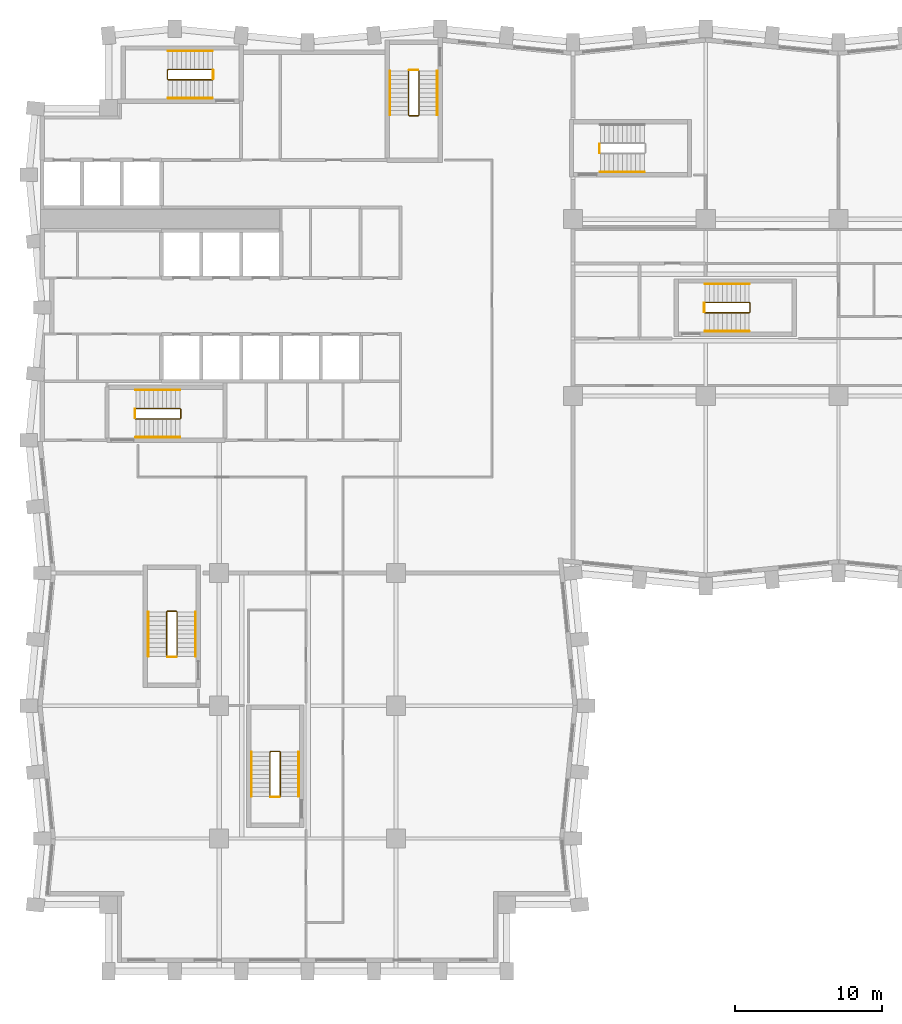
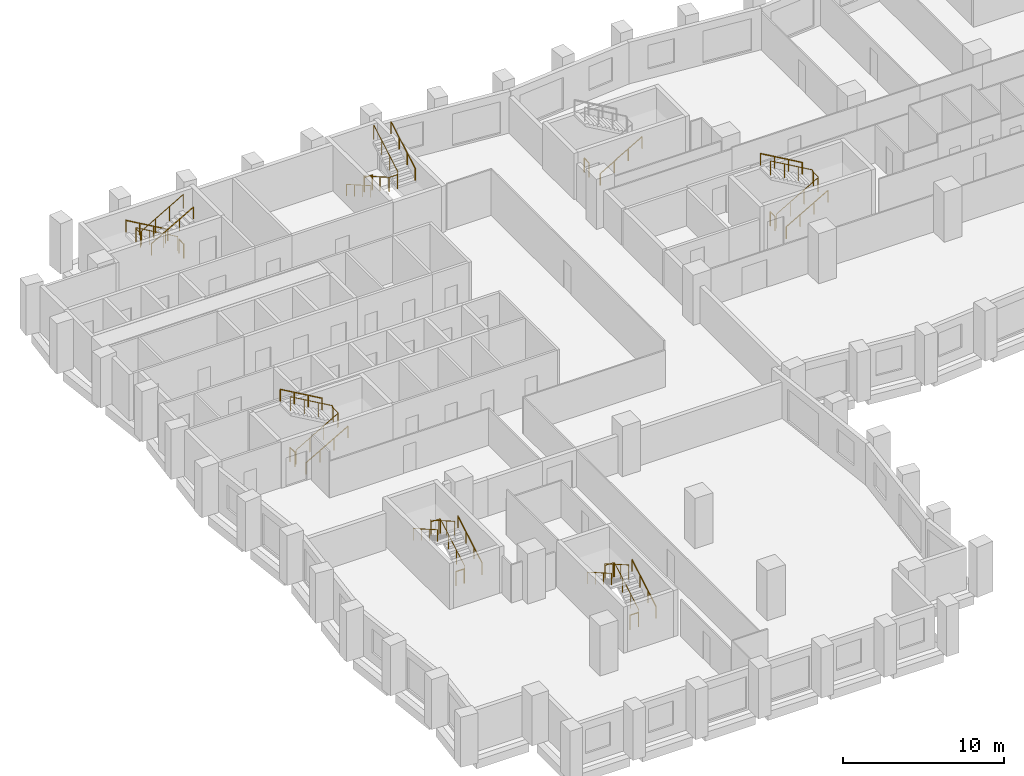
# One storey, part 10 of 11: 26 railings.
"""IFC4 building model written with IfcOpenShell, lengths in metres."""

from ifc_helpers import new_model, si_unit, direction, frame, origin, origin_2d, place, context, subcontext, project, spatial, circle, extrude, material, type_object, element, save


model = new_model("IFC4")

# Units and contexts
model_context = context("Model", 3, precision=1e-05, world=origin(), true_north=direction((0.0, 1.0)))
body_context = subcontext(model_context, "Body", "Model", "MODEL_VIEW")
ifc_project = project(units=[si_unit("LENGTHUNIT", "METRE"), si_unit("AREAUNIT", "SQUARE_METRE"), si_unit("VOLUMEUNIT", "CUBIC_METRE"), si_unit("PLANEANGLEUNIT", "RADIAN"), si_unit("MASSUNIT", "GRAM", prefix="KILO")], contexts=[model_context])

# Site, building, storey
site_placement = place(None, origin())
site = spatial("IfcSite", under=ifc_project, at=site_placement, CompositionType="ELEMENT")
building_placement = place(site_placement, origin())
building = spatial("IfcBuilding", under=site, at=building_placement, Name="Brondeck Convention Tower", CompositionType="ELEMENT")
storey_placement = place(building_placement, frame((0.0, 0.0, 111.300048828125)))
storey = spatial("IfcBuildingStorey", under=building, at=storey_placement, Name="L26", CompositionType="ELEMENT", Elevation=111.300048828125)

# Railings
ifc_material = material(Name="Steel S355", Category="steel")
railing_type_1 = type_object("IfcRailingType", Name="Stair guard 1100", PredefinedType="GUARDRAIL", material=ifc_material)
railing_1_placement = place(storey_placement, frame((6.35009765625, 37.449951171875, 0.172607421875)))
element("IfcRailing", 1, at=railing_1_placement, inside=storey, type_object=railing_type_1, Name="L26 ST-1 stair guard 1", PredefinedType="GUARDRAIL", context=body_context, shape_type="SweptSolid", body=[
    extrude(circle(Radius=0.02392578125, at=origin_2d()), frame((0.0, 0.0, 1.076171875), z_axis=(0.866619684472, 0.0, 0.498969260062), x_axis=(0.0, 1.0, 0.0)), (0.0, 0.0, 1.0), 3.461669921875),
    extrude(circle(Radius=0.02392578125, at=origin_2d()), frame((3.0, 0.0, 2.80322265625), z_axis=(0.705375805398, 0.708833529934, 0.0), x_axis=(-0.708833529934, 0.705375805398, 0.0)), (0.0, 0.0, 1.0), 0.070556640625),
    extrude(circle(Radius=0.02392578125, at=origin_2d()), frame((3.0498046875, 0.050048828125, 2.80322265625), z_axis=(0.0, 1.0, 0.0), x_axis=(-1.0, 0.0, 0.0)), (0.0, 0.0, 1.0), 0.60009765625),
    extrude(circle(Radius=0.02392578125, at=origin_2d()), frame((3.0498046875, 0.650146484375, 2.80322265625), z_axis=(-0.266832911964, 0.266832911964, 0.926067165051), x_axis=(-0.707106781187, -0.707106781187, 0.0)), (0.0, 0.0, 1.0), 0.186767578125),
    extrude(circle(Radius=0.02392578125, at=origin_2d()), frame((3.0, 0.699951171875, 2.97607421875), z_axis=(-0.866619684472, 0.0, 0.498969260062), x_axis=(0.0, -1.0, 0.0)), (0.0, 0.0, 1.0), 3.461669921875),
    extrude(circle(Radius=0.02099609375, at=origin_2d()), origin(), (0.0, 0.0, 1.0), 1.052001953125),
    extrude(circle(Radius=0.02099609375, at=origin_2d()), frame((1.0, 0.0, 0.57568359375)), (0.0, 0.0, 1.0), 1.052001953125),
    extrude(circle(Radius=0.02099609375, at=origin_2d()), frame((2.0, 0.0, 1.151611328125)), (0.0, 0.0, 1.0), 1.052001953125),
    extrude(circle(Radius=0.02099609375, at=origin_2d()), frame((3.0, 0.0, 1.727294921875)), (0.0, 0.0, 1.0), 1.052001953125),
    extrude(circle(Radius=0.02099609375, at=origin_2d()), frame((3.0498046875, 0.050048828125, 1.727294921875)), (0.0, 0.0, 1.0), 1.052001953125),
    extrude(circle(Radius=0.02099609375, at=origin_2d()), frame((3.0498046875, 0.650146484375, 1.727294921875)), (0.0, 0.0, 1.0), 1.052001953125),
    extrude(circle(Radius=0.02099609375, at=origin_2d()), frame((3.0, 0.699951171875, 1.900146484375)), (0.0, 0.0, 1.0), 1.052001953125),
    extrude(circle(Radius=0.02099609375, at=origin_2d()), frame((2.0, 0.699951171875, 2.475830078125)), (0.0, 0.0, 1.0), 1.052001953125),
    extrude(circle(Radius=0.02099609375, at=origin_2d()), frame((1.0, 0.699951171875, 3.0517578125)), (0.0, 0.0, 1.0), 1.052001953125),
    extrude(circle(Radius=0.02099609375, at=origin_2d()), frame((0.0, 0.699951171875, 3.62744140625)), (0.0, 0.0, 1.0), 1.052001953125),
])
railing_2_placement = place(storey_placement, frame((6.300048828125, 37.5, 0.0)))
element("IfcRailing", 2, at=railing_2_placement, inside=storey, type_object=railing_type_1, Name="L26 ST-1 stair guard 2", PredefinedType="GUARDRAIL", context=body_context, shape_type="SweptSolid", body=[
    extrude(circle(Radius=0.02392578125, at=origin_2d()), frame((0.0, 0.0, 1.076171875), z_axis=(0.0, 1.0, 0.0), x_axis=(-1.0, 0.0, 0.0)), (0.0, 0.0, 1.0), 0.60009765625),
    extrude(circle(Radius=0.02099609375, at=origin_2d()), origin(), (0.0, 0.0, 1.0), 1.052001953125),
    extrude(circle(Radius=0.02099609375, at=origin_2d()), frame((0.0, 0.60009765625, 0.0)), (0.0, 0.0, 1.0), 1.052001953125),
])
railing_3_placement = place(storey_placement, frame((24.85009765625, 61.050048828125, 0.172607421875)))
element("IfcRailing", 3, at=railing_3_placement, inside=storey, type_object=railing_type_1, Name="L26 ST-2 stair guard 1", PredefinedType="GUARDRAIL", context=body_context, shape_type="SweptSolid", body=[
    extrude(circle(Radius=0.02392578125, at=origin_2d()), frame((0.0, 0.0, 1.076171875), z_axis=(0.0, -0.866619684472, 0.498969260062), x_axis=(1.0, 0.0, 0.0)), (0.0, 0.0, 1.0), 3.461669921875),
    extrude(circle(Radius=0.02392578125, at=origin_2d()), frame((0.0, -3.0, 2.80322265625), z_axis=(0.705375805398, -0.708833529934, 0.0), x_axis=(0.708833529934, 0.705375805398, 0.0)), (0.0, 0.0, 1.0), 0.070556640625),
    extrude(circle(Radius=0.02392578125, at=origin_2d()), frame((0.0498046875, -3.050048828125, 2.80322265625), z_axis=(1.0, 0.0, 0.0), x_axis=(0.0, 1.0, 0.0)), (0.0, 0.0, 1.0), 0.60009765625),
    extrude(circle(Radius=0.02392578125, at=origin_2d()), frame((0.64990234375, -3.050048828125, 2.80322265625), z_axis=(0.267953482034, 0.267953482034, 0.925419830635), x_axis=(-0.707106781187, 0.707106781187, 0.0)), (0.0, 0.0, 1.0), 0.186767578125),
    extrude(circle(Radius=0.02392578125, at=origin_2d()), frame((0.699951171875, -3.0, 2.97607421875), z_axis=(0.0, 0.866619684472, 0.498969260062), x_axis=(-1.0, 0.0, 0.0)), (0.0, 0.0, 1.0), 3.461669921875),
    extrude(circle(Radius=0.02099609375, at=origin_2d()), origin(), (0.0, 0.0, 1.0), 1.052001953125),
    extrude(circle(Radius=0.02099609375, at=origin_2d()), frame((0.0, -1.0, 0.57568359375)), (0.0, 0.0, 1.0), 1.052001953125),
    extrude(circle(Radius=0.02099609375, at=origin_2d()), frame((0.0, -2.0, 1.151611328125)), (0.0, 0.0, 1.0), 1.052001953125),
    extrude(circle(Radius=0.02099609375, at=origin_2d()), frame((0.0, -3.0, 1.727294921875)), (0.0, 0.0, 1.0), 1.052001953125),
    extrude(circle(Radius=0.02099609375, at=origin_2d()), frame((0.0498046875, -3.050048828125, 1.727294921875)), (0.0, 0.0, 1.0), 1.052001953125),
    extrude(circle(Radius=0.02099609375, at=origin_2d()), frame((0.64990234375, -3.050048828125, 1.727294921875)), (0.0, 0.0, 1.0), 1.052001953125),
    extrude(circle(Radius=0.02099609375, at=origin_2d()), frame((0.699951171875, -3.0, 1.900146484375)), (0.0, 0.0, 1.0), 1.052001953125),
    extrude(circle(Radius=0.02099609375, at=origin_2d()), frame((0.699951171875, -2.0, 2.475830078125)), (0.0, 0.0, 1.0), 1.052001953125),
    extrude(circle(Radius=0.02099609375, at=origin_2d()), frame((0.699951171875, -1.0, 3.0517578125)), (0.0, 0.0, 1.0), 1.052001953125),
    extrude(circle(Radius=0.02099609375, at=origin_2d()), frame((0.699951171875, 0.0, 3.62744140625)), (0.0, 0.0, 1.0), 1.052001953125),
])
railing_4_placement = place(storey_placement, frame((24.89990234375, 61.10009765625, 0.0)))
element("IfcRailing", 4, at=railing_4_placement, inside=storey, type_object=railing_type_1, Name="L26 ST-2 stair guard 2", PredefinedType="GUARDRAIL", context=body_context, shape_type="SweptSolid", body=[
    extrude(circle(Radius=0.02392578125, at=origin_2d()), frame((0.0, 0.0, 1.076171875), z_axis=(1.0, 0.0, 0.0), x_axis=(0.0, 1.0, 0.0)), (0.0, 0.0, 1.0), 0.60009765625),
    extrude(circle(Radius=0.02099609375, at=origin_2d()), origin(), (0.0, 0.0, 1.0), 1.052001953125),
    extrude(circle(Radius=0.02099609375, at=origin_2d()), frame((0.60009765625, 0.0, 0.0)), (0.0, 0.0, 1.0), 1.052001953125),
])
railing_5_placement = place(storey_placement, frame((11.550048828125, 61.14990234375, 0.172607421875)))
element("IfcRailing", 5, at=railing_5_placement, inside=storey, type_object=railing_type_1, Name="L26 ST-3 stair guard 1", PredefinedType="GUARDRAIL", context=body_context, shape_type="SweptSolid", body=[
    extrude(circle(Radius=0.02392578125, at=origin_2d()), frame((0.0, 0.0, 1.076171875), z_axis=(-0.866619684472, 0.0, 0.498969260062), x_axis=(0.0, -1.0, 0.0)), (0.0, 0.0, 1.0), 3.461669921875),
    extrude(circle(Radius=0.02392578125, at=origin_2d()), frame((-3.0, 0.0, 2.80322265625), z_axis=(-0.708833529934, -0.705375805398, 0.0), x_axis=(0.705375805398, -0.708833529934, 0.0)), (0.0, 0.0, 1.0), 0.070556640625),
    extrude(circle(Radius=0.02392578125, at=origin_2d()), frame((-3.050048828125, -0.0498046875, 2.80322265625), z_axis=(0.0, -1.0, 0.0), x_axis=(1.0, 0.0, 0.0)), (0.0, 0.0, 1.0), 0.60009765625),
    extrude(circle(Radius=0.02392578125, at=origin_2d()), frame((-3.050048828125, -0.64990234375, 2.80322265625), z_axis=(0.267953482034, -0.267953482034, 0.925419830635), x_axis=(0.707106781187, 0.707106781187, 0.0)), (0.0, 0.0, 1.0), 0.186767578125),
    extrude(circle(Radius=0.02392578125, at=origin_2d()), frame((-3.0, -0.699951171875, 2.97607421875), z_axis=(0.866619684472, 0.0, 0.498969260062), x_axis=(0.0, 1.0, 0.0)), (0.0, 0.0, 1.0), 3.461669921875),
    extrude(circle(Radius=0.02099609375, at=origin_2d()), origin(), (0.0, 0.0, 1.0), 1.052001953125),
    extrude(circle(Radius=0.02099609375, at=origin_2d()), frame((-1.0, 0.0, 0.57568359375)), (0.0, 0.0, 1.0), 1.052001953125),
    extrude(circle(Radius=0.02099609375, at=origin_2d()), frame((-2.0, 0.0, 1.151611328125)), (0.0, 0.0, 1.0), 1.052001953125),
    extrude(circle(Radius=0.02099609375, at=origin_2d()), frame((-3.0, 0.0, 1.727294921875)), (0.0, 0.0, 1.0), 1.052001953125),
    extrude(circle(Radius=0.02099609375, at=origin_2d()), frame((-3.050048828125, -0.0498046875, 1.727294921875)), (0.0, 0.0, 1.0), 1.052001953125),
    extrude(circle(Radius=0.02099609375, at=origin_2d()), frame((-3.050048828125, -0.64990234375, 1.727294921875)), (0.0, 0.0, 1.0), 1.052001953125),
    extrude(circle(Radius=0.02099609375, at=origin_2d()), frame((-3.0, -0.699951171875, 1.900146484375)), (0.0, 0.0, 1.0), 1.052001953125),
    extrude(circle(Radius=0.02099609375, at=origin_2d()), frame((-2.0, -0.699951171875, 2.475830078125)), (0.0, 0.0, 1.0), 1.052001953125),
    extrude(circle(Radius=0.02099609375, at=origin_2d()), frame((-1.0, -0.699951171875, 3.0517578125)), (0.0, 0.0, 1.0), 1.052001953125),
    extrude(circle(Radius=0.02099609375, at=origin_2d()), frame((0.0, -0.699951171875, 3.62744140625)), (0.0, 0.0, 1.0), 1.052001953125),
])
railing_6_placement = place(storey_placement, frame((11.60009765625, 61.10009765625, 0.0)))
element("IfcRailing", 6, at=railing_6_placement, inside=storey, type_object=railing_type_1, Name="L26 ST-3 stair guard 2", PredefinedType="GUARDRAIL", context=body_context, shape_type="SweptSolid", body=[
    extrude(circle(Radius=0.02392578125, at=origin_2d()), frame((0.0, 0.0, 1.076171875), z_axis=(0.0, -1.0, 0.0), x_axis=(1.0, 0.0, 0.0)), (0.0, 0.0, 1.0), 0.60009765625),
    extrude(circle(Radius=0.02099609375, at=origin_2d()), origin(), (0.0, 0.0, 1.0), 1.052001953125),
    extrude(circle(Radius=0.02099609375, at=origin_2d()), frame((0.0, -0.60009765625, 0.0)), (0.0, 0.0, 1.0), 1.052001953125),
])
railing_7_placement = place(storey_placement, frame((37.800048828125, 55.5, 0.0)))
element("IfcRailing", 7, at=railing_7_placement, inside=storey, type_object=railing_type_1, Name="L26 ST-AE stair guard 2", PredefinedType="GUARDRAIL", context=body_context, shape_type="SweptSolid", body=[
    extrude(circle(Radius=0.02392578125, at=origin_2d()), frame((0.0, 0.0, 1.076171875), z_axis=(0.0, 1.0, 0.0), x_axis=(-1.0, 0.0, 0.0)), (0.0, 0.0, 1.0), 0.60009765625),
    extrude(circle(Radius=0.02099609375, at=origin_2d()), origin(), (0.0, 0.0, 1.0), 1.052001953125),
    extrude(circle(Radius=0.02099609375, at=origin_2d()), frame((0.0, 0.60009765625, 0.0)), (0.0, 0.0, 1.0), 1.052001953125),
])
railing_8_placement = place(storey_placement, frame((9.14990234375, 21.35009765625, 0.172607421875)))
element("IfcRailing", 8, at=railing_8_placement, inside=storey, type_object=railing_type_1, Name="L26 ST-BE stair guard 1", PredefinedType="GUARDRAIL", context=body_context, shape_type="SweptSolid", body=[
    extrude(circle(Radius=0.02392578125, at=origin_2d()), frame((0.0, 0.0, 1.076171875), z_axis=(0.0, 0.866619684472, 0.498969260062), x_axis=(-1.0, 0.0, 0.0)), (0.0, 0.0, 1.0), 3.461669921875),
    extrude(circle(Radius=0.02392578125, at=origin_2d()), frame((0.0, 3.0, 2.80322265625), z_axis=(-0.707106781187, 0.707106781187, 0.0), x_axis=(-0.707106781187, -0.707106781187, 0.0)), (0.0, 0.0, 1.0), 0.0703125),
    extrude(circle(Radius=0.02392578125, at=origin_2d()), frame((-0.0498046875, 3.0498046875, 2.80322265625), z_axis=(-1.0, 0.0, 0.0), x_axis=(0.0, -1.0, 0.0)), (0.0, 0.0, 1.0), 0.60009765625),
    extrude(circle(Radius=0.02392578125, at=origin_2d()), frame((-0.64990234375, 3.0498046875, 2.80322265625), z_axis=(-0.268047150085, -0.266739603011, 0.925743328097), x_axis=(0.705375805398, -0.708833529934, 0.0)), (0.0, 0.0, 1.0), 0.186767578125),
    extrude(circle(Radius=0.02392578125, at=origin_2d()), frame((-0.699951171875, 3.0, 2.97607421875), z_axis=(0.0, -0.866619684472, 0.498969260062), x_axis=(1.0, 0.0, 0.0)), (0.0, 0.0, 1.0), 3.461669921875),
    extrude(circle(Radius=0.02099609375, at=origin_2d()), origin(), (0.0, 0.0, 1.0), 1.052001953125),
    extrude(circle(Radius=0.02099609375, at=origin_2d()), frame((0.0, 1.0, 0.57568359375)), (0.0, 0.0, 1.0), 1.052001953125),
    extrude(circle(Radius=0.02099609375, at=origin_2d()), frame((0.0, 2.0, 1.151611328125)), (0.0, 0.0, 1.0), 1.052001953125),
    extrude(circle(Radius=0.02099609375, at=origin_2d()), frame((0.0, 3.0, 1.727294921875)), (0.0, 0.0, 1.0), 1.052001953125),
    extrude(circle(Radius=0.02099609375, at=origin_2d()), frame((-0.0498046875, 3.0498046875, 1.727294921875)), (0.0, 0.0, 1.0), 1.052001953125),
    extrude(circle(Radius=0.02099609375, at=origin_2d()), frame((-0.64990234375, 3.0498046875, 1.727294921875)), (0.0, 0.0, 1.0), 1.052001953125),
    extrude(circle(Radius=0.02099609375, at=origin_2d()), frame((-0.699951171875, 3.0, 1.900146484375)), (0.0, 0.0, 1.0), 1.052001953125),
    extrude(circle(Radius=0.02099609375, at=origin_2d()), frame((-0.699951171875, 2.0, 2.475830078125)), (0.0, 0.0, 1.0), 1.052001953125),
    extrude(circle(Radius=0.02099609375, at=origin_2d()), frame((-0.699951171875, 1.0, 3.0517578125)), (0.0, 0.0, 1.0), 1.052001953125),
    extrude(circle(Radius=0.02099609375, at=origin_2d()), frame((-0.699951171875, 0.0, 3.62744140625)), (0.0, 0.0, 1.0), 1.052001953125),
])
railing_9_placement = place(storey_placement, frame((9.10009765625, 21.300048828125, 0.0)))
element("IfcRailing", 9, at=railing_9_placement, inside=storey, type_object=railing_type_1, Name="L26 ST-BE stair guard 2", PredefinedType="GUARDRAIL", context=body_context, shape_type="SweptSolid", body=[
    extrude(circle(Radius=0.02392578125, at=origin_2d()), frame((0.0, 0.0, 1.076171875), z_axis=(-1.0, 0.0, 0.0), x_axis=(0.0, -1.0, 0.0)), (0.0, 0.0, 1.0), 0.60009765625),
    extrude(circle(Radius=0.02099609375, at=origin_2d()), origin(), (0.0, 0.0, 1.0), 1.052001953125),
    extrude(circle(Radius=0.02099609375, at=origin_2d()), frame((-0.60009765625, 0.0, 0.0)), (0.0, 0.0, 1.0), 1.052001953125),
])
railing_10_placement = place(storey_placement, frame((44.949951171875, 44.64990234375, 0.172607421875)))
element("IfcRailing", 10, at=railing_10_placement, inside=storey, type_object=railing_type_1, Name="L26 ST-AF stair guard 1", PredefinedType="GUARDRAIL", context=body_context, shape_type="SweptSolid", body=[
    extrude(circle(Radius=0.02392578125, at=origin_2d()), frame((0.0, 0.0, 1.076171875), z_axis=(0.866619684472, 0.0, 0.498969260062), x_axis=(0.0, 1.0, 0.0)), (0.0, 0.0, 1.0), 3.461669921875),
    extrude(circle(Radius=0.02392578125, at=origin_2d()), frame((3.0, 0.0, 2.80322265625), z_axis=(0.707106781187, 0.707106781187, 0.0), x_axis=(-0.707106781187, 0.707106781187, 0.0)), (0.0, 0.0, 1.0), 0.07080078125),
    extrude(circle(Radius=0.02392578125, at=origin_2d()), frame((3.050048828125, 0.050048828125, 2.80322265625), z_axis=(0.0, 1.0, 0.0), x_axis=(-1.0, 0.0, 0.0)), (0.0, 0.0, 1.0), 0.60009765625),
    extrude(circle(Radius=0.02392578125, at=origin_2d()), frame((3.050048828125, 0.650146484375, 2.80322265625), z_axis=(-0.267953482034, 0.267953482034, 0.925419830635), x_axis=(-0.707106781187, -0.707106781187, 0.0)), (0.0, 0.0, 1.0), 0.186767578125),
    extrude(circle(Radius=0.02392578125, at=origin_2d()), frame((3.0, 0.7001953125, 2.97607421875), z_axis=(-0.866619684472, 0.0, 0.498969260062), x_axis=(0.0, -1.0, 0.0)), (0.0, 0.0, 1.0), 3.461669921875),
    extrude(circle(Radius=0.02099609375, at=origin_2d()), origin(), (0.0, 0.0, 1.0), 1.052001953125),
    extrude(circle(Radius=0.02099609375, at=origin_2d()), frame((1.0, 0.0, 0.57568359375)), (0.0, 0.0, 1.0), 1.052001953125),
    extrude(circle(Radius=0.02099609375, at=origin_2d()), frame((2.0, 0.0, 1.151611328125)), (0.0, 0.0, 1.0), 1.052001953125),
    extrude(circle(Radius=0.02099609375, at=origin_2d()), frame((3.0, 0.0, 1.727294921875)), (0.0, 0.0, 1.0), 1.052001953125),
    extrude(circle(Radius=0.02099609375, at=origin_2d()), frame((3.050048828125, 0.050048828125, 1.727294921875)), (0.0, 0.0, 1.0), 1.052001953125),
    extrude(circle(Radius=0.02099609375, at=origin_2d()), frame((3.050048828125, 0.650146484375, 1.727294921875)), (0.0, 0.0, 1.0), 1.052001953125),
    extrude(circle(Radius=0.02099609375, at=origin_2d()), frame((3.0, 0.7001953125, 1.900146484375)), (0.0, 0.0, 1.0), 1.052001953125),
    extrude(circle(Radius=0.02099609375, at=origin_2d()), frame((2.0, 0.7001953125, 2.475830078125)), (0.0, 0.0, 1.0), 1.052001953125),
    extrude(circle(Radius=0.02099609375, at=origin_2d()), frame((1.0, 0.7001953125, 3.0517578125)), (0.0, 0.0, 1.0), 1.052001953125),
    extrude(circle(Radius=0.02099609375, at=origin_2d()), frame((0.0, 0.7001953125, 3.62744140625)), (0.0, 0.0, 1.0), 1.052001953125),
])
railing_11_placement = place(storey_placement, frame((44.89990234375, 44.699951171875, 0.0)))
element("IfcRailing", 11, at=railing_11_placement, inside=storey, type_object=railing_type_1, Name="L26 ST-AF stair guard 2", PredefinedType="GUARDRAIL", context=body_context, shape_type="SweptSolid", body=[
    extrude(circle(Radius=0.02392578125, at=origin_2d()), frame((0.0, 0.0, 1.076171875), z_axis=(0.0, 1.0, 0.0), x_axis=(-1.0, 0.0, 0.0)), (0.0, 0.0, 1.0), 0.60009765625),
    extrude(circle(Radius=0.02099609375, at=origin_2d()), origin(), (0.0, 0.0, 1.0), 1.052001953125),
    extrude(circle(Radius=0.02099609375, at=origin_2d()), frame((0.0, 0.60009765625, 0.0)), (0.0, 0.0, 1.0), 1.052001953125),
])
railing_12_placement = place(storey_placement, frame((16.14990234375, 11.85009765625, 0.172607421875)))
element("IfcRailing", 12, at=railing_12_placement, inside=storey, type_object=railing_type_1, Name="L26 ST-BF stair guard 1", PredefinedType="GUARDRAIL", context=body_context, shape_type="SweptSolid", body=[
    extrude(circle(Radius=0.02392578125, at=origin_2d()), frame((0.0, 0.0, 1.076171875), z_axis=(0.0, 0.866619684472, 0.498969260062), x_axis=(-1.0, 0.0, 0.0)), (0.0, 0.0, 1.0), 3.461669921875),
    extrude(circle(Radius=0.02392578125, at=origin_2d()), frame((0.0, 3.0, 2.80322265625), z_axis=(-0.707106781187, 0.707106781187, 0.0), x_axis=(-0.707106781187, -0.707106781187, 0.0)), (0.0, 0.0, 1.0), 0.0703125),
    extrude(circle(Radius=0.02392578125, at=origin_2d()), frame((-0.0498046875, 3.0498046875, 2.80322265625), z_axis=(-1.0, 0.0, 0.0), x_axis=(0.0, -1.0, 0.0)), (0.0, 0.0, 1.0), 0.60009765625),
    extrude(circle(Radius=0.02392578125, at=origin_2d()), frame((-0.64990234375, 3.0498046875, 2.80322265625), z_axis=(-0.268047150085, -0.266739603011, 0.925743328097), x_axis=(0.705375805398, -0.708833529934, 0.0)), (0.0, 0.0, 1.0), 0.186767578125),
    extrude(circle(Radius=0.02392578125, at=origin_2d()), frame((-0.699951171875, 3.0, 2.97607421875), z_axis=(0.0, -0.866619684472, 0.498969260062), x_axis=(1.0, 0.0, 0.0)), (0.0, 0.0, 1.0), 3.461669921875),
    extrude(circle(Radius=0.02099609375, at=origin_2d()), origin(), (0.0, 0.0, 1.0), 1.052001953125),
    extrude(circle(Radius=0.02099609375, at=origin_2d()), frame((0.0, 1.0, 0.57568359375)), (0.0, 0.0, 1.0), 1.052001953125),
    extrude(circle(Radius=0.02099609375, at=origin_2d()), frame((0.0, 2.0, 1.151611328125)), (0.0, 0.0, 1.0), 1.052001953125),
    extrude(circle(Radius=0.02099609375, at=origin_2d()), frame((0.0, 3.0, 1.727294921875)), (0.0, 0.0, 1.0), 1.052001953125),
    extrude(circle(Radius=0.02099609375, at=origin_2d()), frame((-0.0498046875, 3.0498046875, 1.727294921875)), (0.0, 0.0, 1.0), 1.052001953125),
    extrude(circle(Radius=0.02099609375, at=origin_2d()), frame((-0.64990234375, 3.0498046875, 1.727294921875)), (0.0, 0.0, 1.0), 1.052001953125),
    extrude(circle(Radius=0.02099609375, at=origin_2d()), frame((-0.699951171875, 3.0, 1.900146484375)), (0.0, 0.0, 1.0), 1.052001953125),
    extrude(circle(Radius=0.02099609375, at=origin_2d()), frame((-0.699951171875, 2.0, 2.475830078125)), (0.0, 0.0, 1.0), 1.052001953125),
    extrude(circle(Radius=0.02099609375, at=origin_2d()), frame((-0.699951171875, 1.0, 3.0517578125)), (0.0, 0.0, 1.0), 1.052001953125),
    extrude(circle(Radius=0.02099609375, at=origin_2d()), frame((-0.699951171875, 0.0, 3.62744140625)), (0.0, 0.0, 1.0), 1.052001953125),
])
railing_13_placement = place(storey_placement, frame((16.10009765625, 11.800048828125, 0.0)))
element("IfcRailing", 13, at=railing_13_placement, inside=storey, type_object=railing_type_1, Name="L26 ST-BF stair guard 2", PredefinedType="GUARDRAIL", context=body_context, shape_type="SweptSolid", body=[
    extrude(circle(Radius=0.02392578125, at=origin_2d()), frame((0.0, 0.0, 1.076171875), z_axis=(-1.0, 0.0, 0.0), x_axis=(0.0, -1.0, 0.0)), (0.0, 0.0, 1.0), 0.60009765625),
    extrude(circle(Radius=0.02099609375, at=origin_2d()), origin(), (0.0, 0.0, 1.0), 1.052001953125),
    extrude(circle(Radius=0.02099609375, at=origin_2d()), frame((-0.60009765625, 0.0, 0.0)), (0.0, 0.0, 1.0), 1.052001953125),
])
railing_type_2 = type_object("IfcRailingType", Name="Stair handrail", PredefinedType="HANDRAIL", material=ifc_material)
railing_14_placement = place(storey_placement, frame((6.35009765625, 36.199951171875, 0.172607421875)))
element("IfcRailing", 14, at=railing_14_placement, inside=storey, type_object=railing_type_2, Name="L26 ST-1 stair handrail 1", PredefinedType="HANDRAIL", context=body_context, shape_type="SweptSolid", body=[
    extrude(circle(Radius=0.02392578125, at=origin_2d()), frame((0.0, 0.0, 0.8759765625), z_axis=(0.866619684472, 0.0, 0.498969260062), x_axis=(0.0, 1.0, 0.0)), (0.0, 0.0, 1.0), 3.461669921875),
    extrude(circle(Radius=0.02099609375, at=origin_2d()), origin(), (0.0, 0.0, 1.0), 0.851806640625),
    extrude(circle(Radius=0.02099609375, at=origin_2d()), frame((1.0, 0.0, 0.57568359375)), (0.0, 0.0, 1.0), 0.851806640625),
    extrude(circle(Radius=0.02099609375, at=origin_2d()), frame((2.0, 0.0, 1.151611328125)), (0.0, 0.0, 1.0), 0.851806640625),
    extrude(circle(Radius=0.02099609375, at=origin_2d()), frame((3.0, 0.0, 1.727294921875)), (0.0, 0.0, 1.0), 0.851806640625),
])
railing_15_placement = place(storey_placement, frame((9.35009765625, 39.39990234375, 2.07275390625)))
element("IfcRailing", 15, at=railing_15_placement, inside=storey, type_object=railing_type_2, Name="L26 ST-1 stair handrail 2", PredefinedType="HANDRAIL", context=body_context, shape_type="SweptSolid", body=[
    extrude(circle(Radius=0.02392578125, at=origin_2d()), frame((0.0, 0.0, 0.8759765625), z_axis=(-0.866619684472, 0.0, 0.498969260062), x_axis=(0.0, -1.0, 0.0)), (0.0, 0.0, 1.0), 3.461669921875),
    extrude(circle(Radius=0.02099609375, at=origin_2d()), origin(), (0.0, 0.0, 1.0), 0.851806640625),
    extrude(circle(Radius=0.02099609375, at=origin_2d()), frame((-1.0, 0.0, 0.57568359375)), (0.0, 0.0, 1.0), 0.851806640625),
    extrude(circle(Radius=0.02099609375, at=origin_2d()), frame((-2.0, 0.0, 1.151611328125)), (0.0, 0.0, 1.0), 0.851806640625),
    extrude(circle(Radius=0.02099609375, at=origin_2d()), frame((-3.0, 0.0, 1.727294921875)), (0.0, 0.0, 1.0), 0.851806640625),
])
railing_16_placement = place(storey_placement, frame((23.60009765625, 61.050048828125, 0.172607421875)))
element("IfcRailing", 16, at=railing_16_placement, inside=storey, type_object=railing_type_2, Name="L26 ST-2 stair handrail 1", PredefinedType="HANDRAIL", context=body_context, shape_type="SweptSolid", body=[
    extrude(circle(Radius=0.02392578125, at=origin_2d()), frame((0.0, 0.0, 0.8759765625), z_axis=(0.0, -0.866619684472, 0.498969260062), x_axis=(1.0, 0.0, 0.0)), (0.0, 0.0, 1.0), 3.461669921875),
    extrude(circle(Radius=0.02099609375, at=origin_2d()), origin(), (0.0, 0.0, 1.0), 0.851806640625),
    extrude(circle(Radius=0.02099609375, at=origin_2d()), frame((0.0, -1.0, 0.57568359375)), (0.0, 0.0, 1.0), 0.851806640625),
    extrude(circle(Radius=0.02099609375, at=origin_2d()), frame((0.0, -2.0, 1.151611328125)), (0.0, 0.0, 1.0), 0.851806640625),
    extrude(circle(Radius=0.02099609375, at=origin_2d()), frame((0.0, -3.0, 1.727294921875)), (0.0, 0.0, 1.0), 0.851806640625),
])
railing_17_placement = place(storey_placement, frame((26.800048828125, 58.050048828125, 2.07275390625)))
element("IfcRailing", 17, at=railing_17_placement, inside=storey, type_object=railing_type_2, Name="L26 ST-2 stair handrail 2", PredefinedType="HANDRAIL", context=body_context, shape_type="SweptSolid", body=[
    extrude(circle(Radius=0.02392578125, at=origin_2d()), frame((0.0, 0.0, 0.8759765625), z_axis=(0.0, 0.866619684472, 0.498969260062), x_axis=(-1.0, 0.0, 0.0)), (0.0, 0.0, 1.0), 3.461669921875),
    extrude(circle(Radius=0.02099609375, at=origin_2d()), origin(), (0.0, 0.0, 1.0), 0.851806640625),
    extrude(circle(Radius=0.02099609375, at=origin_2d()), frame((0.0, 1.0, 0.57568359375)), (0.0, 0.0, 1.0), 0.851806640625),
    extrude(circle(Radius=0.02099609375, at=origin_2d()), frame((0.0, 2.0, 1.151611328125)), (0.0, 0.0, 1.0), 0.851806640625),
    extrude(circle(Radius=0.02099609375, at=origin_2d()), frame((0.0, 3.0, 1.727294921875)), (0.0, 0.0, 1.0), 0.851806640625),
])
railing_18_placement = place(storey_placement, frame((11.550048828125, 62.39990234375, 0.172607421875)))
element("IfcRailing", 18, at=railing_18_placement, inside=storey, type_object=railing_type_2, Name="L26 ST-3 stair handrail 1", PredefinedType="HANDRAIL", context=body_context, shape_type="SweptSolid", body=[
    extrude(circle(Radius=0.02392578125, at=origin_2d()), frame((0.0, 0.0, 0.8759765625), z_axis=(-0.866619684472, 0.0, 0.498969260062), x_axis=(0.0, -1.0, 0.0)), (0.0, 0.0, 1.0), 3.461669921875),
    extrude(circle(Radius=0.02099609375, at=origin_2d()), origin(), (0.0, 0.0, 1.0), 0.851806640625),
    extrude(circle(Radius=0.02099609375, at=origin_2d()), frame((-1.0, 0.0, 0.57568359375)), (0.0, 0.0, 1.0), 0.851806640625),
    extrude(circle(Radius=0.02099609375, at=origin_2d()), frame((-2.0, 0.0, 1.151611328125)), (0.0, 0.0, 1.0), 0.851806640625),
    extrude(circle(Radius=0.02099609375, at=origin_2d()), frame((-3.0, 0.0, 1.727294921875)), (0.0, 0.0, 1.0), 0.851806640625),
])
for number, where, name in (
    (19, (8.550048828125, 59.199951171875, 2.07275390625), "L26 ST-3 stair handrail 2"),
    (20, (37.85009765625, 54.199951171875, 0.172607421875), "L26 ST-AE stair handrail 1"),
):
    element("IfcRailing", number, at=place(storey_placement, frame(where)), inside=storey, type_object=railing_type_2, Name=name, PredefinedType="HANDRAIL", context=body_context, shape_type="SweptSolid", body=[
        extrude(circle(Radius=0.02392578125, at=origin_2d()), frame((0.0, 0.0, 0.8759765625), z_axis=(0.866619684472, 0.0, 0.498969260062), x_axis=(0.0, 1.0, 0.0)), (0.0, 0.0, 1.0), 3.461669921875),
        extrude(circle(Radius=0.02099609375, at=origin_2d()), origin(), (0.0, 0.0, 1.0), 0.851806640625),
        extrude(circle(Radius=0.02099609375, at=origin_2d()), frame((1.0, 0.0, 0.57568359375)), (0.0, 0.0, 1.0), 0.851806640625),
        extrude(circle(Radius=0.02099609375, at=origin_2d()), frame((2.0, 0.0, 1.151611328125)), (0.0, 0.0, 1.0), 0.851806640625),
        extrude(circle(Radius=0.02099609375, at=origin_2d()), frame((3.0, 0.0, 1.727294921875)), (0.0, 0.0, 1.0), 0.851806640625),
    ])
railing_19_placement = place(storey_placement, frame((10.39990234375, 21.35009765625, 0.172607421875)))
element("IfcRailing", 21, at=railing_19_placement, inside=storey, type_object=railing_type_2, Name="L26 ST-BE stair handrail 1", PredefinedType="HANDRAIL", context=body_context, shape_type="SweptSolid", body=[
    extrude(circle(Radius=0.02392578125, at=origin_2d()), frame((0.0, 0.0, 0.8759765625), z_axis=(0.0, 0.866619684472, 0.498969260062), x_axis=(-1.0, 0.0, 0.0)), (0.0, 0.0, 1.0), 3.461669921875),
    extrude(circle(Radius=0.02099609375, at=origin_2d()), origin(), (0.0, 0.0, 1.0), 0.851806640625),
    extrude(circle(Radius=0.02099609375, at=origin_2d()), frame((0.0, 1.0, 0.57568359375)), (0.0, 0.0, 1.0), 0.851806640625),
    extrude(circle(Radius=0.02099609375, at=origin_2d()), frame((0.0, 2.0, 1.151611328125)), (0.0, 0.0, 1.0), 0.851806640625),
    extrude(circle(Radius=0.02099609375, at=origin_2d()), frame((0.0, 3.0, 1.727294921875)), (0.0, 0.0, 1.0), 0.851806640625),
])
railing_20_placement = place(storey_placement, frame((7.199951171875, 24.35009765625, 2.07275390625)))
element("IfcRailing", 22, at=railing_20_placement, inside=storey, type_object=railing_type_2, Name="L26 ST-BE stair handrail 2", PredefinedType="HANDRAIL", context=body_context, shape_type="SweptSolid", body=[
    extrude(circle(Radius=0.02392578125, at=origin_2d()), frame((0.0, 0.0, 0.8759765625), z_axis=(0.0, -0.866619684472, 0.498969260062), x_axis=(1.0, 0.0, 0.0)), (0.0, 0.0, 1.0), 3.461669921875),
    extrude(circle(Radius=0.02099609375, at=origin_2d()), origin(), (0.0, 0.0, 1.0), 0.851806640625),
    extrude(circle(Radius=0.02099609375, at=origin_2d()), frame((0.0, -1.0, 0.57568359375)), (0.0, 0.0, 1.0), 0.851806640625),
    extrude(circle(Radius=0.02099609375, at=origin_2d()), frame((0.0, -2.0, 1.151611328125)), (0.0, 0.0, 1.0), 0.851806640625),
    extrude(circle(Radius=0.02099609375, at=origin_2d()), frame((0.0, -3.0, 1.727294921875)), (0.0, 0.0, 1.0), 0.851806640625),
])
railing_21_placement = place(storey_placement, frame((44.949951171875, 43.39990234375, 0.172607421875)))
element("IfcRailing", 23, at=railing_21_placement, inside=storey, type_object=railing_type_2, Name="L26 ST-AF stair handrail 1", PredefinedType="HANDRAIL", context=body_context, shape_type="SweptSolid", body=[
    extrude(circle(Radius=0.02392578125, at=origin_2d()), frame((0.0, 0.0, 0.8759765625), z_axis=(0.866619684472, 0.0, 0.498969260062), x_axis=(0.0, 1.0, 0.0)), (0.0, 0.0, 1.0), 3.461669921875),
    extrude(circle(Radius=0.02099609375, at=origin_2d()), origin(), (0.0, 0.0, 1.0), 0.851806640625),
    extrude(circle(Radius=0.02099609375, at=origin_2d()), frame((1.0, 0.0, 0.57568359375)), (0.0, 0.0, 1.0), 0.851806640625),
    extrude(circle(Radius=0.02099609375, at=origin_2d()), frame((2.0, 0.0, 1.151611328125)), (0.0, 0.0, 1.0), 0.851806640625),
    extrude(circle(Radius=0.02099609375, at=origin_2d()), frame((3.0, 0.0, 1.727294921875)), (0.0, 0.0, 1.0), 0.851806640625),
])
railing_22_placement = place(storey_placement, frame((47.949951171875, 46.60009765625, 2.07275390625)))
element("IfcRailing", 24, at=railing_22_placement, inside=storey, type_object=railing_type_2, Name="L26 ST-AF stair handrail 2", PredefinedType="HANDRAIL", context=body_context, shape_type="SweptSolid", body=[
    extrude(circle(Radius=0.02392578125, at=origin_2d()), frame((0.0, 0.0, 0.8759765625), z_axis=(-0.866619684472, 0.0, 0.498969260062), x_axis=(0.0, -1.0, 0.0)), (0.0, 0.0, 1.0), 3.461669921875),
    extrude(circle(Radius=0.02099609375, at=origin_2d()), origin(), (0.0, 0.0, 1.0), 0.851806640625),
    extrude(circle(Radius=0.02099609375, at=origin_2d()), frame((-1.0, 0.0, 0.57568359375)), (0.0, 0.0, 1.0), 0.851806640625),
    extrude(circle(Radius=0.02099609375, at=origin_2d()), frame((-2.0, 0.0, 1.151611328125)), (0.0, 0.0, 1.0), 0.851806640625),
    extrude(circle(Radius=0.02099609375, at=origin_2d()), frame((-3.0, 0.0, 1.727294921875)), (0.0, 0.0, 1.0), 0.851806640625),
])
railing_23_placement = place(storey_placement, frame((17.39990234375, 11.85009765625, 0.172607421875)))
element("IfcRailing", 25, at=railing_23_placement, inside=storey, type_object=railing_type_2, Name="L26 ST-BF stair handrail 1", PredefinedType="HANDRAIL", context=body_context, shape_type="SweptSolid", body=[
    extrude(circle(Radius=0.02392578125, at=origin_2d()), frame((0.0, 0.0, 0.8759765625), z_axis=(0.0, 0.866619684472, 0.498969260062), x_axis=(-1.0, 0.0, 0.0)), (0.0, 0.0, 1.0), 3.461669921875),
    extrude(circle(Radius=0.02099609375, at=origin_2d()), origin(), (0.0, 0.0, 1.0), 0.851806640625),
    extrude(circle(Radius=0.02099609375, at=origin_2d()), frame((0.0, 1.0, 0.57568359375)), (0.0, 0.0, 1.0), 0.851806640625),
    extrude(circle(Radius=0.02099609375, at=origin_2d()), frame((0.0, 2.0, 1.151611328125)), (0.0, 0.0, 1.0), 0.851806640625),
    extrude(circle(Radius=0.02099609375, at=origin_2d()), frame((0.0, 3.0, 1.727294921875)), (0.0, 0.0, 1.0), 0.851806640625),
])
railing_24_placement = place(storey_placement, frame((14.199951171875, 14.85009765625, 2.07275390625)))
element("IfcRailing", 26, at=railing_24_placement, inside=storey, type_object=railing_type_2, Name="L26 ST-BF stair handrail 2", PredefinedType="HANDRAIL", context=body_context, shape_type="SweptSolid", body=[
    extrude(circle(Radius=0.02392578125, at=origin_2d()), frame((0.0, 0.0, 0.8759765625), z_axis=(0.0, -0.866619684472, 0.498969260062), x_axis=(1.0, 0.0, 0.0)), (0.0, 0.0, 1.0), 3.461669921875),
    extrude(circle(Radius=0.02099609375, at=origin_2d()), origin(), (0.0, 0.0, 1.0), 0.851806640625),
    extrude(circle(Radius=0.02099609375, at=origin_2d()), frame((0.0, -1.0, 0.57568359375)), (0.0, 0.0, 1.0), 0.851806640625),
    extrude(circle(Radius=0.02099609375, at=origin_2d()), frame((0.0, -2.0, 1.151611328125)), (0.0, 0.0, 1.0), 0.851806640625),
    extrude(circle(Radius=0.02099609375, at=origin_2d()), frame((0.0, -3.0, 1.727294921875)), (0.0, 0.0, 1.0), 0.851806640625),
])

save(model, "model.ifc")
